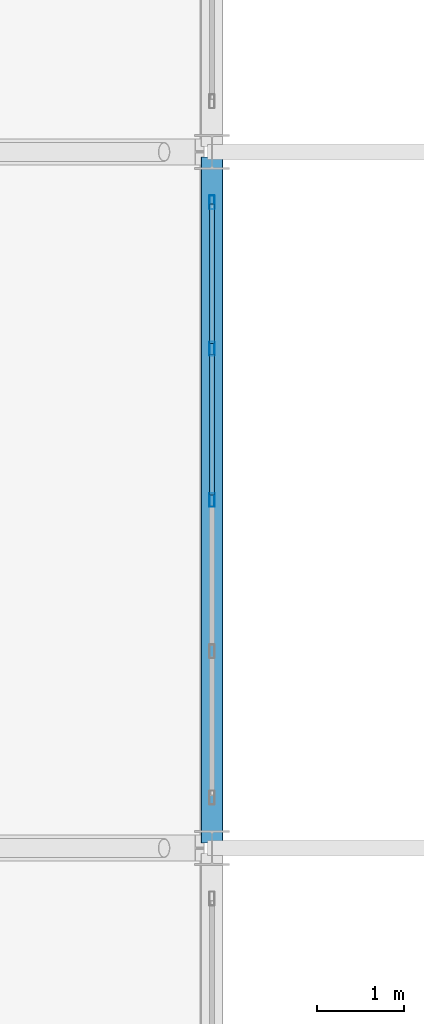
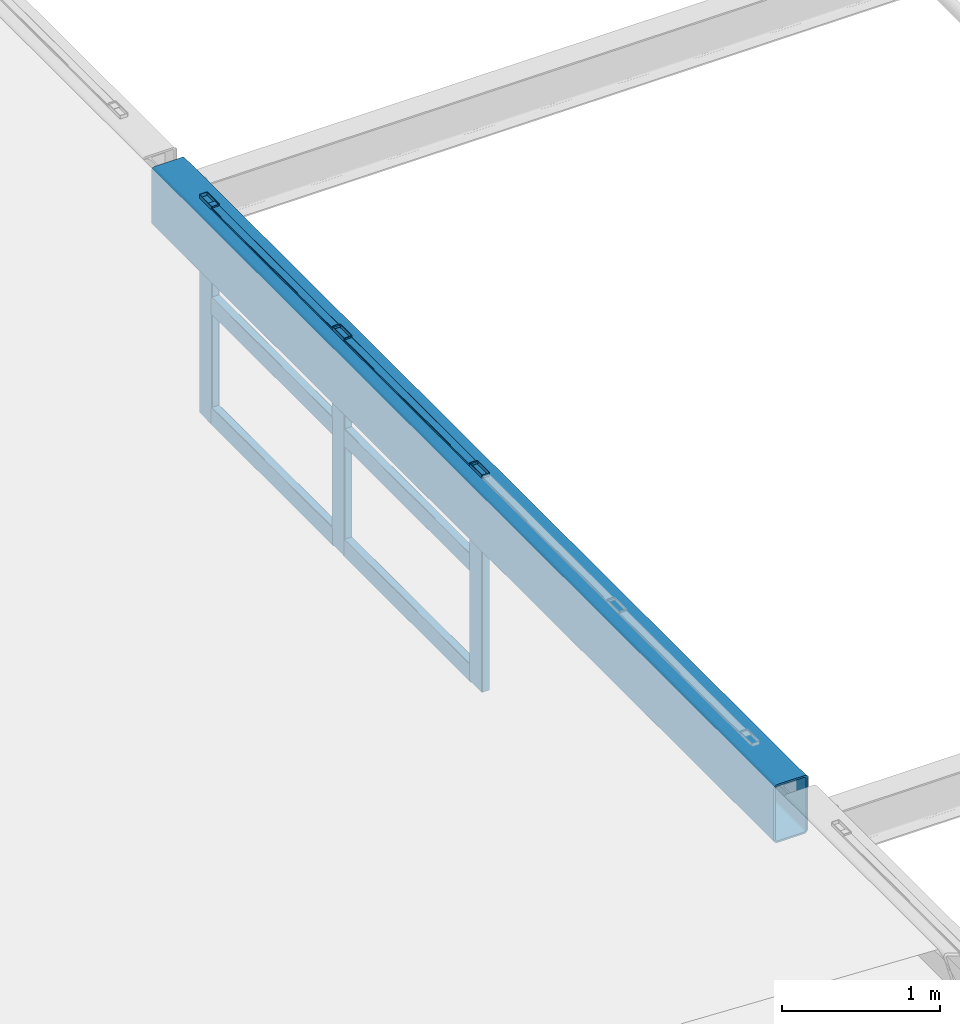
# One storey, part 20 of 128: 9 members, 1 beam, 1 element without a shape of its own.
"""IFC4 building model written with IfcOpenShell, lengths in metres."""

from ifc_helpers import new_model, si_unit, derived_unit, direction, frame, origin, origin_2d, place, context, subcontext, project, spatial, hollow_rectangle, extrude, material, material_profile, profile_set, type_object, element, aggregate, save


model = new_model("IFC4")

# Units and contexts
model_context = context("Model", 3, precision=1e-05, world=origin(), true_north=direction((0.0, 1.0)))
body_context = subcontext(model_context, "Body", "Model", "MODEL_VIEW")
ifc_project = project(units=[si_unit("LENGTHUNIT", "METRE"), si_unit("AREAUNIT", "SQUARE_METRE"), si_unit("VOLUMEUNIT", "CUBIC_METRE"), si_unit("PLANEANGLEUNIT", "RADIAN"), si_unit("MASSUNIT", "GRAM", prefix="KILO"), derived_unit("THERMALTRANSMITTANCEUNIT", [(si_unit("MASSUNIT", "GRAM", prefix="KILO"), 1), (si_unit("TIMEUNIT", "SECOND"), -3), (si_unit("THERMODYNAMICTEMPERATUREUNIT", "KELVIN"), -1)])], contexts=[model_context])

# Site, building, storey
site_placement = place(None, origin())
site = spatial("IfcSite", under=ifc_project, at=site_placement, CompositionType="ELEMENT")
building_placement = place(site_placement, origin())
building = spatial("IfcBuilding", under=site, at=building_placement, Name="Zhenchuan Archway Interchange", CompositionType="ELEMENT")
storey_placement = place(building_placement, frame((0.0, 0.0, 14.39990234375)))
storey = spatial("IfcBuildingStorey", under=building, at=storey_placement, Name="L03", CompositionType="ELEMENT", Elevation=14.39990234375)

# Beam
ifc_material_1 = material(Name="Steel Q390", Category="steel")
ifc_material_profile_1 = material_profile(ifc_material_1, hollow_rectangle(XDim=0.25, YDim=0.449951171875, WallThickness=0.013916015625, InnerFilletRadius=0.013916015625, OuterFilletRadius=0.028076171875, at=origin_2d()), Name="RHS 450x250x14")
ifc_profile_set_1 = profile_set([ifc_material_profile_1], Name="Steel Q390")
beam_type = type_object("IfcBeamType", Name="BM_RING_RHS450", PredefinedType="BEAM", material=ifc_profile_set_1)
beam_placement = place(storey_placement, frame((27.0, 40.06005859375, 1.4501953125), z_axis=(0.0, 1.0, 0.0), x_axis=(-1.0, 0.0, 0.0)))
element("IfcBeam", 1, at=beam_placement, inside=storey, type_object=beam_type, Name="CONCOURSE CABLE-NET RING BEAM W-3", PredefinedType="BEAM", context=body_context, shape_type="SweptSolid", body=[
    extrude(hollow_rectangle(XDim=0.25, YDim=0.449951171875, WallThickness=0.013916015625, InnerFilletRadius=0.013916015625, OuterFilletRadius=0.028076171875, at=origin_2d()), origin(), (0.0, 0.0, 1.0), 7.8798828125),
])

# Curtain wall, members
ifc_material_2 = material(Name="Anodised Aluminium", Category="aluminium")
curtain_wall_type = type_object("IfcCurtainWallType", Name="CW_UNIT_3", PredefinedType="NOTDEFINED", material=ifc_material_2)
curtain_wall_placement = place(storey_placement, origin())
curtain_wall = element("IfcCurtainWall", 2, at=curtain_wall_placement, inside=storey, type_object=curtain_wall_type, Name="Unitised curtain wall CW:L03:RING-W3", PredefinedType="NOTDEFINED")
ifc_material_profile_2 = material_profile(ifc_material_2, hollow_rectangle(XDim=0.06005859375, YDim=0.159912109375, WallThickness=0.00390625, InnerFilletRadius=0.00390625, OuterFilletRadius=0.008056640625, at=origin_2d()), Name="ALU 160x60x4")
ifc_profile_set_2 = profile_set([ifc_material_profile_2], Name="Anodised Aluminium")
member_type_1 = type_object("IfcMemberType", Name="CW_MUL_150", PredefinedType="MULLION", material=ifc_profile_set_2)
member_1_placement = place(storey_placement, frame((27.0, 44.0, 0.02001953125), z_axis=(0.0, 0.0, 1.0), x_axis=(1.0, 0.0, 0.0)))
member_1 = element("IfcMember", 3, at=member_1_placement, type_object=member_type_1, Name="CW:L03:RING-W3 mullion 2", PredefinedType="MULLION", context=body_context, shape_type="SweptSolid", body=[
    extrude(hollow_rectangle(XDim=0.06005859375, YDim=0.159912109375, WallThickness=0.00390625, InnerFilletRadius=0.00390625, OuterFilletRadius=0.008056640625, at=origin_2d()), origin(), (0.0, 0.0, 1.0), 1.68017578125),
])
member_2_placement = place(storey_placement, frame((27.0, 45.739990234375, 0.02001953125), z_axis=(0.0, 0.0, 1.0), x_axis=(1.0, 0.0, 0.0)))
member_2 = element("IfcMember", 4, at=member_2_placement, type_object=member_type_1, Name="CW:L03:RING-W3 mullion 3", PredefinedType="MULLION", context=body_context, shape_type="SweptSolid", body=[
    extrude(hollow_rectangle(XDim=0.06005859375, YDim=0.159912109375, WallThickness=0.00390625, InnerFilletRadius=0.00390625, OuterFilletRadius=0.008056640625, at=origin_2d()), origin(), (0.0, 0.0, 1.0), 1.68017578125),
])
member_3_placement = place(storey_placement, frame((27.0, 47.419921875, 0.02001953125), z_axis=(0.0, 0.0, 1.0), x_axis=(1.0, 0.0, 0.0)))
member_3 = element("IfcMember", 5, at=member_3_placement, type_object=member_type_1, Name="CW:L03:RING-W3 mullion 4", PredefinedType="MULLION", context=body_context, shape_type="SweptSolid", body=[
    extrude(hollow_rectangle(XDim=0.06005859375, YDim=0.159912109375, WallThickness=0.00390625, InnerFilletRadius=0.00390625, OuterFilletRadius=0.008056640625, at=origin_2d()), origin(), (0.0, 0.0, 1.0), 1.68017578125),
])
ifc_material_profile_3 = material_profile(ifc_material_2, hollow_rectangle(XDim=0.06005859375, YDim=0.139892578125, WallThickness=0.00341796875, InnerFilletRadius=0.00341796875, OuterFilletRadius=0.007080078125, at=origin_2d()), Name="ALU 140x60x3.5")
ifc_profile_set_3 = profile_set([ifc_material_profile_3], Name="Anodised Aluminium")
member_type_2 = type_object("IfcMemberType", Name="CW_TRN_140", PredefinedType="USERDEFINED", material=ifc_profile_set_3)
member_4_placement = place(storey_placement, frame((27.0, 44.06005859375, 0.080078125), z_axis=(0.0, 1.0, 0.0), x_axis=(-1.0, 0.0, 0.0)))
member_4 = element("IfcMember", 6, at=member_4_placement, type_object=member_type_2, Name="CW:L03:RING-W3 transom 2-1", ObjectType="TRANSOM", PredefinedType="USERDEFINED", context=body_context, shape_type="SweptSolid", body=[
    extrude(hollow_rectangle(XDim=0.06005859375, YDim=0.139892578125, WallThickness=0.00341796875, InnerFilletRadius=0.00341796875, OuterFilletRadius=0.007080078125, at=origin_2d()), origin(), (0.0, 0.0, 1.0), 1.619873046875),
])
member_5_placement = place(storey_placement, frame((27.0, 44.06005859375, 0.93310546875), z_axis=(0.0, 1.0, 0.0), x_axis=(-1.0, 0.0, 0.0)))
member_5 = element("IfcMember", 7, at=member_5_placement, type_object=member_type_2, Name="CW:L03:RING-W3 transom 2-2", ObjectType="TRANSOM", PredefinedType="USERDEFINED", context=body_context, shape_type="SweptSolid", body=[
    extrude(hollow_rectangle(XDim=0.06005859375, YDim=0.139892578125, WallThickness=0.00341796875, InnerFilletRadius=0.00341796875, OuterFilletRadius=0.007080078125, at=origin_2d()), origin(), (0.0, 0.0, 1.0), 1.619873046875),
])
member_6_placement = place(storey_placement, frame((27.0, 44.06005859375, 1.6201171875), z_axis=(0.0, 1.0, 0.0), x_axis=(-1.0, 0.0, 0.0)))
member_6 = element("IfcMember", 8, at=member_6_placement, type_object=member_type_2, Name="CW:L03:RING-W3 transom 2-3", ObjectType="TRANSOM", PredefinedType="USERDEFINED", context=body_context, shape_type="SweptSolid", body=[
    extrude(hollow_rectangle(XDim=0.06005859375, YDim=0.139892578125, WallThickness=0.00341796875, InnerFilletRadius=0.00341796875, OuterFilletRadius=0.007080078125, at=origin_2d()), origin(), (0.0, 0.0, 1.0), 1.619873046875),
])
member_7_placement = place(storey_placement, frame((27.0, 45.800048828125, 0.080078125), z_axis=(0.0, 1.0, 0.0), x_axis=(-1.0, 0.0, 0.0)))
member_7 = element("IfcMember", 9, at=member_7_placement, type_object=member_type_2, Name="CW:L03:RING-W3 transom 3-1", ObjectType="TRANSOM", PredefinedType="USERDEFINED", context=body_context, shape_type="SweptSolid", body=[
    extrude(hollow_rectangle(XDim=0.06005859375, YDim=0.139892578125, WallThickness=0.00341796875, InnerFilletRadius=0.00341796875, OuterFilletRadius=0.007080078125, at=origin_2d()), origin(), (0.0, 0.0, 1.0), 1.599853515625),
])
member_8_placement = place(storey_placement, frame((27.0, 45.800048828125, 0.93310546875), z_axis=(0.0, 1.0, 0.0), x_axis=(-1.0, 0.0, 0.0)))
member_8 = element("IfcMember", 10, at=member_8_placement, type_object=member_type_2, Name="CW:L03:RING-W3 transom 3-2", ObjectType="TRANSOM", PredefinedType="USERDEFINED", context=body_context, shape_type="SweptSolid", body=[
    extrude(hollow_rectangle(XDim=0.06005859375, YDim=0.139892578125, WallThickness=0.00341796875, InnerFilletRadius=0.00341796875, OuterFilletRadius=0.007080078125, at=origin_2d()), origin(), (0.0, 0.0, 1.0), 1.599853515625),
])
member_9_placement = place(storey_placement, frame((27.0, 45.800048828125, 1.6201171875), z_axis=(0.0, 1.0, 0.0), x_axis=(-1.0, 0.0, 0.0)))
member_9 = element("IfcMember", 11, at=member_9_placement, type_object=member_type_2, Name="CW:L03:RING-W3 transom 3-3", ObjectType="TRANSOM", PredefinedType="USERDEFINED", context=body_context, shape_type="SweptSolid", body=[
    extrude(hollow_rectangle(XDim=0.06005859375, YDim=0.139892578125, WallThickness=0.00341796875, InnerFilletRadius=0.00341796875, OuterFilletRadius=0.007080078125, at=origin_2d()), origin(), (0.0, 0.0, 1.0), 1.599853515625),
])
aggregate(curtain_wall, [member_1, member_2, member_3, member_4, member_5, member_6, member_7, member_8, member_9])

save(model, "model.ifc")
